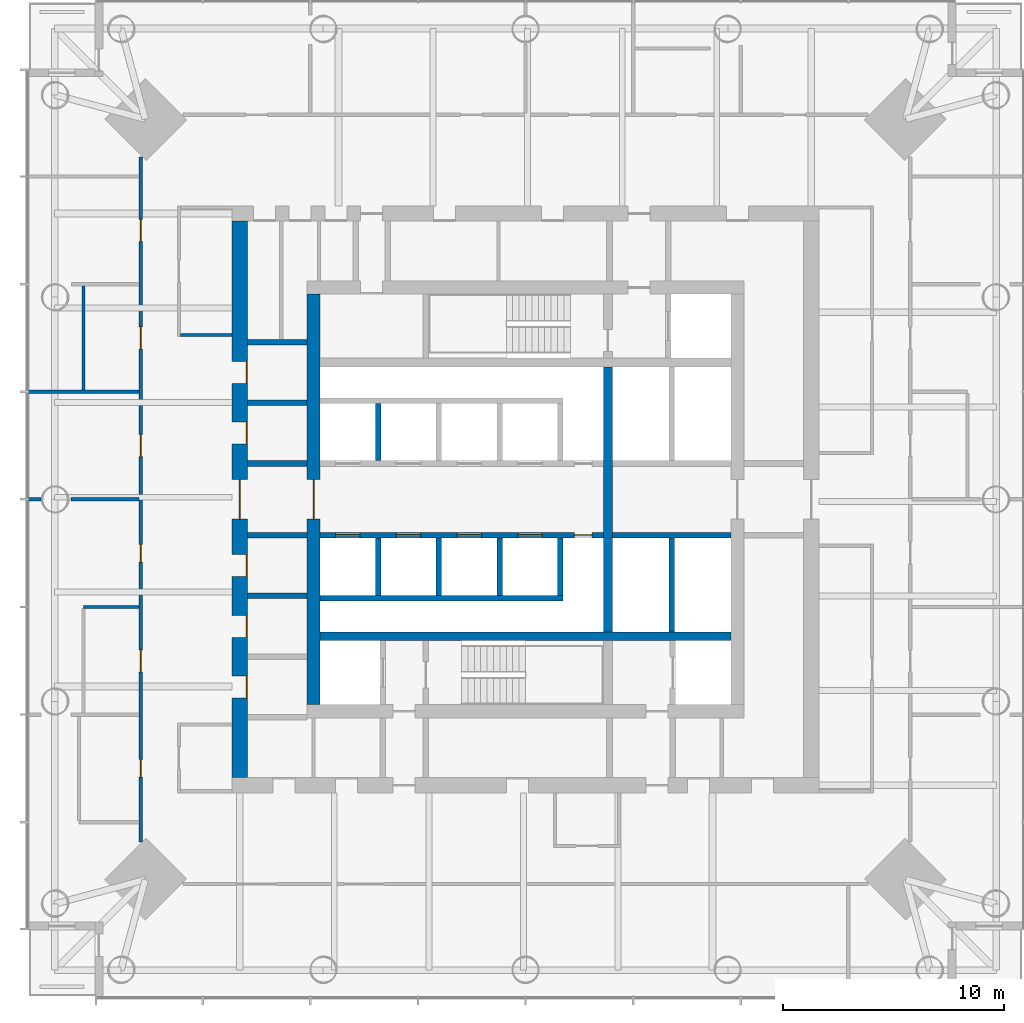
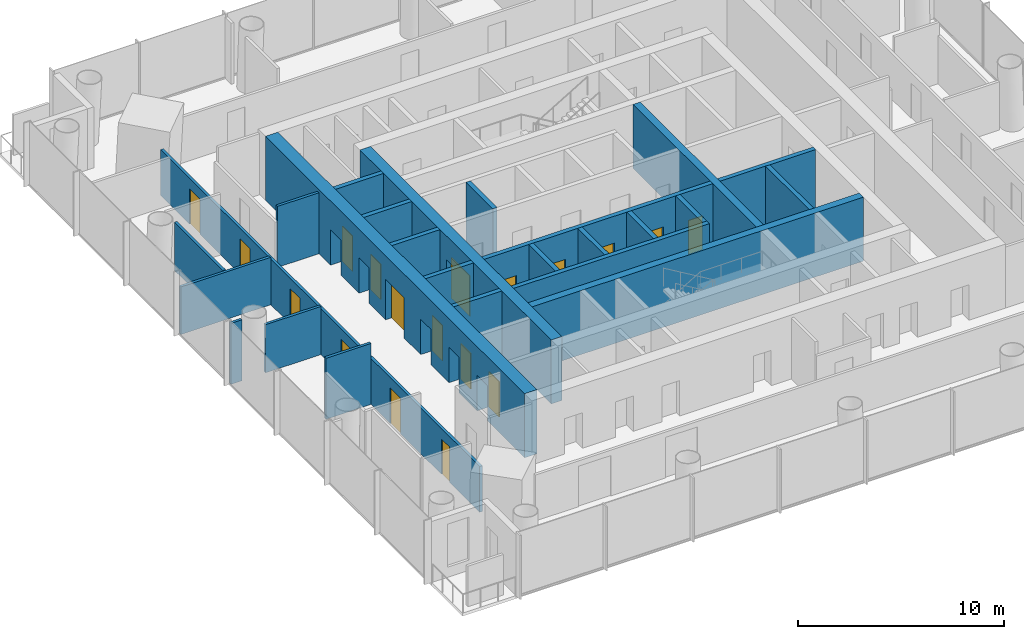
# One storey, part 9 of 18: 25 walls, 18 doors, 18 openings.
"""IFC4 building model written with IfcOpenShell, lengths in metres."""

from ifc_helpers import new_model, si_unit, direction, frame, frame_2d, origin, place, context, subcontext, project, spatial, rectangle, extrude, material, layer, layer_set, type_object, element, fill, save


model = new_model("IFC4")

# Units and contexts
model_context = context("Model", 3, precision=1e-05, world=origin(), true_north=direction((0.0, 1.0)))
body_context = subcontext(model_context, "Body", "Model", "MODEL_VIEW")
ifc_project = project(units=[si_unit("LENGTHUNIT", "METRE"), si_unit("AREAUNIT", "SQUARE_METRE"), si_unit("VOLUMEUNIT", "CUBIC_METRE"), si_unit("PLANEANGLEUNIT", "RADIAN"), si_unit("MASSUNIT", "GRAM", prefix="KILO")], contexts=[model_context])

# Site, building, storey
site_placement = place(None, origin())
site = spatial("IfcSite", under=ifc_project, at=site_placement, CompositionType="ELEMENT")
building_placement = place(site_placement, origin())
building = spatial("IfcBuilding", under=site, at=building_placement, Name="Ostroluk Exchange", CompositionType="ELEMENT")
storey_placement = place(building_placement, frame((0.0, 0.0, 104.60009765625)))
storey = spatial("IfcBuildingStorey", under=building, at=storey_placement, Name="L26", CompositionType="ELEMENT", Elevation=104.60009765625)

# Walls
ifc_material_1 = material(Name="Concrete C50/60", Category="concrete")
ifc_layer_1 = layer(ifc_material_1, 0.39990234375)
ifc_layer_set_1 = layer_set([ifc_layer_1], Name="Core cross wall 400 C50/60")
wall_type_1 = type_object("IfcWallType", Name="Core cross wall 400 C50/60", PredefinedType="SHEAR", material=ifc_layer_set_1)
wall_1_placement = place(storey_placement, frame((35.699951171875, 39.800048828125, 0.0), z_axis=(0.0, 0.0, 1.0), x_axis=(1.0, 0.0, 0.0)))
element("IfcWall", 1, at=wall_1_placement, inside=storey, type_object=wall_type_1, Name="T1 core wall XS", PredefinedType="SHEAR", context=body_context, shape_type="SweptSolid", body=[
    extrude(rectangle(XDim=18.60009765625, YDim=0.39990234375, at=frame_2d((9.300048828125, 0.0))), origin(), (0.0, 0.0, 1.0), 3.7998046875),
])
wall_2_placement = place(storey_placement, frame((48.72998046875, 40.0, 0.0), z_axis=(0.0, 0.0, 1.0), x_axis=(0.0, 1.0, 0.0)))
element("IfcWall", 2, at=wall_2_placement, inside=storey, type_object=wall_type_1, Name="T1 core wall YE2", PredefinedType="SHEAR", context=body_context, shape_type="SweptSolid", body=[
    extrude(rectangle(XDim=12.0, YDim=0.39990234375, at=frame_2d((6.0, 0.0))), origin(), (0.0, 0.0, 1.0), 3.7998046875),
])
ifc_material_2 = material(Name="Concrete C40/50", Category="concrete")
ifc_layer_2 = layer(ifc_material_2, 0.25)
ifc_layer_set_2 = layer_set([ifc_layer_2], Name="Core shaft wall 250")
wall_type_2 = type_object("IfcWallType", Name="Core shaft wall 250", PredefinedType="SHEAR", material=ifc_layer_set_2)
for number, where, z_axis, x_axis, name in (
    (3, (38.324951171875, 47.75, 0.0), (0.0, 0.0, 1.0), (0.0, 1.0, 0.0), "Lift shaft wall"),
    (4, (38.324951171875, 44.25, 0.0), (0.0, 0.0, 1.0), (0.0, -1.0, 0.0), "Lift shaft wall"),
    (5, (41.074951171875, 44.25, 0.0), (0.0, 0.0, 1.0), (0.0, -1.0, 0.0), "Lift shaft wall"),
    (6, (43.824951171875, 44.25, 0.0), (0.0, 0.0, 1.0), (0.0, -1.0, 0.0), "Lift shaft wall"),
    (7, (46.574951171875, 44.25, 0.0), (0.0, 0.0, 1.0), (0.0, -1.0, 0.0), "Lift shaft wall"),
):
    element("IfcWall", number, at=place(storey_placement, frame(where, z_axis=z_axis, x_axis=x_axis)), inside=storey, type_object=wall_type_2, Name=name, PredefinedType="SHEAR", context=body_context, shape_type="SweptSolid", body=[
        extrude(rectangle(XDim=2.60009765625, YDim=0.25, at=frame_2d((1.300048828125, 0.0))), origin(), (0.0, 0.0, 1.0), 3.7998046875),
    ])
wall_3_placement = place(storey_placement, frame((35.699951171875, 41.52490234375, 0.0), z_axis=(0.0, 0.0, 1.0), x_axis=(1.0, 0.0, 0.0)))
element("IfcWall", 8, at=wall_3_placement, inside=storey, type_object=wall_type_2, Name="Lift shaft wall", PredefinedType="SHEAR", context=body_context, shape_type="SweptSolid", body=[
    extrude(rectangle(XDim=11.0, YDim=0.25, at=frame_2d((5.5, 0.0))), origin(), (0.0, 0.0, 1.0), 3.7998046875),
])

# Wall, openings, doors
wall_4_placement = place(storey_placement, frame((35.699951171875, 44.375, 0.0), z_axis=(0.0, 0.0, 1.0), x_axis=(1.0, 0.0, 0.0)))
wall_4 = element("IfcWall", 9, at=wall_4_placement, inside=storey, type_object=wall_type_2, Name="Lift shaft front wall", PredefinedType="SHEAR", context=body_context, shape_type="SweptSolid", body=[
    extrude(rectangle(XDim=12.830078125, YDim=0.25, at=frame_2d((6.4150390625, 0.0))), origin(), (0.0, 0.0, 1.0), 3.7998046875),
])
opening_1_placement = place(wall_4_placement, frame((0.699951171875, 0.0, 0.0)))
opening_1 = element("IfcOpeningElement", 10, at=opening_1_placement, cuts=wall_4, Name="Opening LD", PredefinedType="OPENING", context=body_context, shape_type="SweptSolid", body=[
    extrude(rectangle(XDim=1.10009765625, YDim=2.199951171875, at=frame_2d((0.550048828125, 1.10009765625))), frame((0.0, 0.135009765625, 0.0), z_axis=(0.0, -1.0, 0.0), x_axis=(1.0, 0.0, 0.0)), (0.0, 0.0, 1.0), 0.27001953125),
])
opening_2_placement = place(wall_4_placement, frame((3.449951171875, 0.0, 0.0)))
opening_2 = element("IfcOpeningElement", 11, at=opening_2_placement, cuts=wall_4, Name="Opening LD", PredefinedType="OPENING", context=body_context, shape_type="SweptSolid", body=[
    extrude(rectangle(XDim=1.10009765625, YDim=2.199951171875, at=frame_2d((0.550048828125, 1.10009765625))), frame((0.0, 0.135009765625, 0.0), z_axis=(0.0, -1.0, 0.0), x_axis=(1.0, 0.0, 0.0)), (0.0, 0.0, 1.0), 0.27001953125),
])
opening_3_placement = place(wall_4_placement, frame((6.199951171875, 0.0, 0.0)))
opening_3 = element("IfcOpeningElement", 12, at=opening_3_placement, cuts=wall_4, Name="Opening LD", PredefinedType="OPENING", context=body_context, shape_type="SweptSolid", body=[
    extrude(rectangle(XDim=1.10009765625, YDim=2.199951171875, at=frame_2d((0.550048828125, 1.10009765625))), frame((0.0, 0.135009765625, 0.0), z_axis=(0.0, -1.0, 0.0), x_axis=(1.0, 0.0, 0.0)), (0.0, 0.0, 1.0), 0.27001953125),
])
opening_4_placement = place(wall_4_placement, frame((8.949951171875, 0.0, 0.0)))
opening_4 = element("IfcOpeningElement", 13, at=opening_4_placement, cuts=wall_4, Name="Opening LD", PredefinedType="OPENING", context=body_context, shape_type="SweptSolid", body=[
    extrude(rectangle(XDim=1.10009765625, YDim=2.199951171875, at=frame_2d((0.550048828125, 1.10009765625))), frame((0.0, 0.135009765625, 0.0), z_axis=(0.0, -1.0, 0.0), x_axis=(1.0, 0.0, 0.0)), (0.0, 0.0, 1.0), 0.27001953125),
])
opening_5_placement = place(wall_4_placement, frame((11.514892578125, 0.0, 0.0)))
opening_5 = element("IfcOpeningElement", 14, at=opening_5_placement, cuts=wall_4, Name="Opening RD60", PredefinedType="OPENING", context=body_context, shape_type="SweptSolid", body=[
    extrude(rectangle(XDim=0.800048828125, YDim=2.0, at=frame_2d((0.39990234375, 1.0))), frame((0.0, 0.135009765625, 0.0), z_axis=(0.0, -1.0, 0.0), x_axis=(1.0, 0.0, 0.0)), (0.0, 0.0, 1.0), 0.27001953125),
])
ifc_material_3 = material(Name="Stainless steel", Category="steel")
door_type_1 = type_object("IfcDoorType", Name="Lift landing door E 60 1100 x 2200", OperationType="DOUBLE_DOOR_SLIDING", PredefinedType="DOOR", material=ifc_material_3)
door_1_placement = place(opening_1_placement, origin())
door_1 = element("IfcDoor", 15, at=door_1_placement, inside=storey, type_object=door_type_1, Name="Lift PL-M5 landing door", OperationType="DOUBLE_DOOR_SLIDING", OverallHeight=2.199951171875, OverallWidth=1.10009765625, PredefinedType="DOOR", context=body_context, shape_type="SweptSolid", body=[
    extrude(rectangle(XDim=1.10009765625, YDim=2.199951171875, at=frame_2d((0.550048828125, 1.10009765625))), frame((0.0, 0.02490234375, 0.0), z_axis=(0.0, -1.0, 0.0), x_axis=(1.0, 0.0, 0.0)), (0.0, 0.0, 1.0), 0.050048828125),
])
fill(opening_1, door_1)
door_2_placement = place(opening_2_placement, origin())
door_2 = element("IfcDoor", 16, at=door_2_placement, inside=storey, type_object=door_type_1, Name="Lift PL-M6 landing door", OperationType="DOUBLE_DOOR_SLIDING", OverallHeight=2.199951171875, OverallWidth=1.10009765625, PredefinedType="DOOR", context=body_context, shape_type="SweptSolid", body=[
    extrude(rectangle(XDim=1.10009765625, YDim=2.199951171875, at=frame_2d((0.550048828125, 1.10009765625))), frame((0.0, 0.02490234375, 0.0), z_axis=(0.0, -1.0, 0.0), x_axis=(1.0, 0.0, 0.0)), (0.0, 0.0, 1.0), 0.050048828125),
])
fill(opening_2, door_2)
door_3_placement = place(opening_3_placement, origin())
door_3 = element("IfcDoor", 17, at=door_3_placement, inside=storey, type_object=door_type_1, Name="Lift PL-M7 landing door", OperationType="DOUBLE_DOOR_SLIDING", OverallHeight=2.199951171875, OverallWidth=1.10009765625, PredefinedType="DOOR", context=body_context, shape_type="SweptSolid", body=[
    extrude(rectangle(XDim=1.10009765625, YDim=2.199951171875, at=frame_2d((0.550048828125, 1.10009765625))), frame((0.0, 0.02490234375, 0.0), z_axis=(0.0, -1.0, 0.0), x_axis=(1.0, 0.0, 0.0)), (0.0, 0.0, 1.0), 0.050048828125),
])
fill(opening_3, door_3)
door_4_placement = place(opening_4_placement, origin())
door_4 = element("IfcDoor", 18, at=door_4_placement, inside=storey, type_object=door_type_1, Name="Lift PL-M8 landing door", OperationType="DOUBLE_DOOR_SLIDING", OverallHeight=2.199951171875, OverallWidth=1.10009765625, PredefinedType="DOOR", context=body_context, shape_type="SweptSolid", body=[
    extrude(rectangle(XDim=1.10009765625, YDim=2.199951171875, at=frame_2d((0.550048828125, 1.10009765625))), frame((0.0, 0.02490234375, 0.0), z_axis=(0.0, -1.0, 0.0), x_axis=(1.0, 0.0, 0.0)), (0.0, 0.0, 1.0), 0.050048828125),
])
fill(opening_4, door_4)
ifc_material_4 = material(Name="Steel", Category="steel")
door_type_2 = type_object("IfcDoorType", Name="Riser access door EI 60 800 x 2000", OperationType="SINGLE_SWING_LEFT", PredefinedType="DOOR", material=ifc_material_4)
door_5_placement = place(opening_5_placement, origin())
door_5 = element("IfcDoor", 19, at=door_5_placement, inside=storey, type_object=door_type_2, Name="Riser access door", OperationType="SINGLE_SWING_RIGHT", OverallHeight=2.0, OverallWidth=0.800048828125, PredefinedType="DOOR", context=body_context, shape_type="SweptSolid", body=[
    extrude(rectangle(XDim=0.800048828125, YDim=2.0, at=frame_2d((0.39990234375, 1.0))), frame((0.0, 0.02490234375, 0.0), z_axis=(0.0, -1.0, 0.0), x_axis=(1.0, 0.0, 0.0)), (0.0, 0.0, 1.0), 0.050048828125),
])
fill(opening_5, door_5)

# Walls
wall_5_placement = place(storey_placement, frame((51.614990234375, 44.25, 0.0), z_axis=(0.0, 0.0, 1.0), x_axis=(0.0, -1.0, 0.0)))
element("IfcWall", 20, at=wall_5_placement, inside=storey, type_object=wall_type_2, Name="Lift shaft wall", PredefinedType="SHEAR", context=body_context, shape_type="SweptSolid", body=[
    extrude(rectangle(XDim=4.25, YDim=0.25, at=frame_2d((2.125, 0.0))), origin(), (0.0, 0.0, 1.0), 3.7998046875),
])
wall_6_placement = place(storey_placement, frame((48.929931640625, 44.375, 0.0), z_axis=(0.0, 0.0, 1.0), x_axis=(1.0, 0.0, 0.0)))
element("IfcWall", 21, at=wall_6_placement, inside=storey, type_object=wall_type_2, Name="Lift shaft front wall", PredefinedType="SHEAR", context=body_context, shape_type="SweptSolid", body=[
    extrude(rectangle(XDim=5.3701171875, YDim=0.25, at=frame_2d((2.68505859375, 0.0))), origin(), (0.0, 0.0, 1.0), 3.7998046875),
])
for number, where, z_axis, x_axis, name in (
    (22, (32.39990234375, 41.625, 0.0), (0.0, 0.0, 1.0), (1.0, 0.0, 0.0), "Lift shaft wall"),
    (23, (32.39990234375, 44.375, 0.0), (0.0, 0.0, 1.0), (1.0, 0.0, 0.0), "Lift shaft wall"),
    (24, (32.39990234375, 47.625, 0.0), (0.0, 0.0, 1.0), (1.0, 0.0, 0.0), "Lift shaft wall"),
    (25, (32.39990234375, 50.375, 0.0), (0.0, 0.0, 1.0), (1.0, 0.0, 0.0), "Lift shaft wall"),
    (26, (32.39990234375, 53.125, 0.0), (0.0, 0.0, 1.0), (1.0, 0.0, 0.0), "Lift shaft wall"),
):
    element("IfcWall", number, at=place(storey_placement, frame(where, z_axis=z_axis, x_axis=x_axis)), inside=storey, type_object=wall_type_2, Name=name, PredefinedType="SHEAR", context=body_context, shape_type="SweptSolid", body=[
        extrude(rectangle(XDim=2.7001953125, YDim=0.25, at=frame_2d((1.35009765625, 0.0))), origin(), (0.0, 0.0, 1.0), 3.7998046875),
    ])

# Wall, opening, door
ifc_material_5 = material(Name="Concrete C50/60", Category="concrete")
ifc_layer_3 = layer(ifc_material_5, 0.60009765625)
ifc_layer_set_3 = layer_set([ifc_layer_3], Name="Core wall 600 C50/60")
wall_type_3 = type_object("IfcWallType", Name="Core wall 600 C50/60", PredefinedType="SHEAR", material=ifc_layer_set_3)
wall_7_placement = place(storey_placement, frame((35.39990234375, 36.699951171875, 0.0), z_axis=(0.0, 0.0, 1.0), x_axis=(0.0, 1.0, 0.0)))
wall_7 = element("IfcWall", 27, at=wall_7_placement, inside=storey, type_object=wall_type_3, Name="T1 core wall W", PredefinedType="SHEAR", context=body_context, shape_type="SweptSolid", body=[
    extrude(rectangle(XDim=18.60009765625, YDim=0.60009765625, at=frame_2d((9.300048828125, 0.0))), origin(), (0.0, 0.0, 1.0), 3.7998046875),
])
opening_6_placement = place(wall_7_placement, frame((8.39990234375, 0.0, 0.0)))
opening_6 = element("IfcOpeningElement", 28, at=opening_6_placement, cuts=wall_7, Name="Opening FD30D", PredefinedType="OPENING", context=body_context, shape_type="SweptSolid", body=[
    extrude(rectangle(XDim=1.800048828125, YDim=2.39990234375, at=frame_2d((0.89990234375, 1.199951171875))), frame((0.0, 0.31005859375, 0.0), z_axis=(0.0, -1.0, 0.0), x_axis=(1.0, 0.0, 0.0)), (0.0, 0.0, 1.0), 0.6201171875),
])
ifc_material_6 = material(Name="Timber", Category="wood")
door_type_3 = type_object("IfcDoorType", Name="Lobby double door EI 30 1800 x 2400", OperationType="DOUBLE_DOOR_SINGLE_SWING", PredefinedType="DOOR", material=ifc_material_6)
door_6_placement = place(opening_6_placement, origin())
door_6 = element("IfcDoor", 29, at=door_6_placement, inside=storey, type_object=door_type_3, Name="Lift lobby doors", OperationType="DOUBLE_DOOR_SINGLE_SWING", OverallHeight=2.39990234375, OverallWidth=1.800048828125, PredefinedType="DOOR", context=body_context, shape_type="SweptSolid", body=[
    extrude(rectangle(XDim=1.800048828125, YDim=2.39990234375, at=frame_2d((0.89990234375, 1.199951171875))), frame((0.0, 0.02490234375, 0.0), z_axis=(0.0, -1.0, 0.0), x_axis=(1.0, 0.0, 0.0)), (0.0, 0.0, 1.0), 0.050048828125),
])
fill(opening_6, door_6)

# Wall, openings, doors
ifc_material_7 = material(Name="Concrete C50/60", Category="concrete")
ifc_layer_4 = layer(ifc_material_7, 0.699951171875)
ifc_layer_set_4 = layer_set([ifc_layer_4], Name="Core wall 700 C50/60")
wall_type_4 = type_object("IfcWallType", Name="Core wall 700 C50/60", PredefinedType="SHEAR", material=ifc_layer_set_4)
wall_8_placement = place(storey_placement, frame((32.050048828125, 33.39990234375, 0.0), z_axis=(0.0, 0.0, 1.0), x_axis=(0.0, 1.0, 0.0)))
wall_8 = element("IfcWall", 30, at=wall_8_placement, inside=storey, type_object=wall_type_4, Name="T1 core wall RW", PredefinedType="SHEAR", context=body_context, shape_type="SweptSolid", body=[
    extrude(rectangle(XDim=25.2001953125, YDim=0.699951171875, at=frame_2d((12.60009765625, 0.0))), origin(), (0.0, 0.0, 1.0), 3.7998046875),
])
opening_7_placement = place(wall_8_placement, frame((11.699951171875, 0.0, 0.0)))
opening_7 = element("IfcOpeningElement", 31, at=opening_7_placement, cuts=wall_8, Name="Opening FD30D", PredefinedType="OPENING", context=body_context, shape_type="SweptSolid", body=[
    extrude(rectangle(XDim=1.800048828125, YDim=2.39990234375, at=frame_2d((0.89990234375, 1.199951171875))), frame((0.0, 0.35986328125, 0.0), z_axis=(0.0, -1.0, 0.0), x_axis=(1.0, 0.0, 0.0)), (0.0, 0.0, 1.0), 0.719970703125),
])
opening_8_placement = place(wall_8_placement, frame((3.60009765625, 0.0, 0.0)))
opening_8 = element("IfcOpeningElement", 32, at=opening_8_placement, cuts=wall_8, Name="Opening FD60", PredefinedType="OPENING", context=body_context, shape_type="SweptSolid", body=[
    extrude(rectangle(XDim=1.0, YDim=2.10009765625, at=frame_2d((0.5, 1.050048828125))), frame((0.0, 0.35986328125, 0.0), z_axis=(0.0, -1.0, 0.0), x_axis=(1.0, 0.0, 0.0)), (0.0, 0.0, 1.0), 0.719970703125),
])
opening_9_placement = place(wall_8_placement, frame((6.35009765625, 0.0, 0.0)))
opening_9 = element("IfcOpeningElement", 33, at=opening_9_placement, cuts=wall_8, Name="Opening FD60", PredefinedType="OPENING", context=body_context, shape_type="SweptSolid", body=[
    extrude(rectangle(XDim=1.0, YDim=2.10009765625, at=frame_2d((0.5, 1.050048828125))), frame((0.0, 0.35986328125, 0.0), z_axis=(0.0, -1.0, 0.0), x_axis=(1.0, 0.0, 0.0)), (0.0, 0.0, 1.0), 0.719970703125),
])
opening_10_placement = place(wall_8_placement, frame((9.10009765625, 0.0, 0.0)))
opening_10 = element("IfcOpeningElement", 34, at=opening_10_placement, cuts=wall_8, Name="Opening FD60", PredefinedType="OPENING", context=body_context, shape_type="SweptSolid", body=[
    extrude(rectangle(XDim=1.0, YDim=2.10009765625, at=frame_2d((0.5, 1.050048828125))), frame((0.0, 0.35986328125, 0.0), z_axis=(0.0, -1.0, 0.0), x_axis=(1.0, 0.0, 0.0)), (0.0, 0.0, 1.0), 0.719970703125),
])
opening_11_placement = place(wall_8_placement, frame((15.10009765625, 0.0, 0.0)))
opening_11 = element("IfcOpeningElement", 35, at=opening_11_placement, cuts=wall_8, Name="Opening FD60", PredefinedType="OPENING", context=body_context, shape_type="SweptSolid", body=[
    extrude(rectangle(XDim=1.0, YDim=2.10009765625, at=frame_2d((0.5, 1.050048828125))), frame((0.0, 0.35986328125, 0.0), z_axis=(0.0, -1.0, 0.0), x_axis=(1.0, 0.0, 0.0)), (0.0, 0.0, 1.0), 0.719970703125),
])
opening_12_placement = place(wall_8_placement, frame((17.85009765625, 0.0, 0.0)))
opening_12 = element("IfcOpeningElement", 36, at=opening_12_placement, cuts=wall_8, Name="Opening FD60", PredefinedType="OPENING", context=body_context, shape_type="SweptSolid", body=[
    extrude(rectangle(XDim=1.0, YDim=2.10009765625, at=frame_2d((0.5, 1.050048828125))), frame((0.0, 0.35986328125, 0.0), z_axis=(0.0, -1.0, 0.0), x_axis=(1.0, 0.0, 0.0)), (0.0, 0.0, 1.0), 0.719970703125),
])
ifc_material_8 = material(Name="Steel", Category="steel")
door_type_4 = type_object("IfcDoorType", Name="Fire door EI 60 1000 x 2100", OperationType="SINGLE_SWING_LEFT", PredefinedType="DOOR", material=ifc_material_8)
door_7_placement = place(opening_8_placement, origin())
door_7 = element("IfcDoor", 37, at=door_7_placement, inside=storey, type_object=door_type_4, Name="Cleaner's store door", OperationType="SINGLE_SWING_LEFT", OverallHeight=2.10009765625, OverallWidth=1.0, PredefinedType="DOOR", context=body_context, shape_type="SweptSolid", body=[
    extrude(rectangle(XDim=1.0, YDim=2.10009765625, at=frame_2d((0.5, 1.050048828125))), frame((0.0, -0.2900390625, 0.0), z_axis=(0.0, -1.0, 0.0), x_axis=(1.0, 0.0, 0.0)), (0.0, 0.0, 1.0), 0.050048828125),
])
fill(opening_8, door_7)
door_8_placement = place(opening_9_placement, origin())
door_8 = element("IfcDoor", 38, at=door_8_placement, inside=storey, type_object=door_type_4, Name="Comms room door", OperationType="SINGLE_SWING_LEFT", OverallHeight=2.10009765625, OverallWidth=1.0, PredefinedType="DOOR", context=body_context, shape_type="SweptSolid", body=[
    extrude(rectangle(XDim=1.0, YDim=2.10009765625, at=frame_2d((0.5, 1.050048828125))), frame((0.0, -0.2900390625, 0.0), z_axis=(0.0, -1.0, 0.0), x_axis=(1.0, 0.0, 0.0)), (0.0, 0.0, 1.0), 0.050048828125),
])
fill(opening_9, door_8)
door_9_placement = place(opening_10_placement, origin())
door_9 = element("IfcDoor", 39, at=door_9_placement, inside=storey, type_object=door_type_4, Name="Cleaner's store door", OperationType="SINGLE_SWING_LEFT", OverallHeight=2.10009765625, OverallWidth=1.0, PredefinedType="DOOR", context=body_context, shape_type="SweptSolid", body=[
    extrude(rectangle(XDim=1.0, YDim=2.10009765625, at=frame_2d((0.5, 1.050048828125))), frame((0.0, -0.2900390625, 0.0), z_axis=(0.0, -1.0, 0.0), x_axis=(1.0, 0.0, 0.0)), (0.0, 0.0, 1.0), 0.050048828125),
])
fill(opening_10, door_9)
door_10_placement = place(opening_11_placement, origin())
door_10 = element("IfcDoor", 40, at=door_10_placement, inside=storey, type_object=door_type_4, Name="Comms room door", OperationType="SINGLE_SWING_RIGHT", OverallHeight=2.10009765625, OverallWidth=1.0, PredefinedType="DOOR", context=body_context, shape_type="SweptSolid", body=[
    extrude(rectangle(XDim=1.0, YDim=2.10009765625, at=frame_2d((0.5, 1.050048828125))), frame((0.0, -0.2900390625, 0.0), z_axis=(0.0, -1.0, 0.0), x_axis=(1.0, 0.0, 0.0)), (0.0, 0.0, 1.0), 0.050048828125),
])
fill(opening_11, door_10)
door_11_placement = place(opening_12_placement, origin())
door_11 = element("IfcDoor", 41, at=door_11_placement, inside=storey, type_object=door_type_4, Name="Cleaner's store door", OperationType="SINGLE_SWING_RIGHT", OverallHeight=2.10009765625, OverallWidth=1.0, PredefinedType="DOOR", context=body_context, shape_type="SweptSolid", body=[
    extrude(rectangle(XDim=1.0, YDim=2.10009765625, at=frame_2d((0.5, 1.050048828125))), frame((0.0, -0.2900390625, 0.0), z_axis=(0.0, -1.0, 0.0), x_axis=(1.0, 0.0, 0.0)), (0.0, 0.0, 1.0), 0.050048828125),
])
fill(opening_12, door_11)
door_12_placement = place(opening_7_placement, origin())
door_12 = element("IfcDoor", 42, at=door_12_placement, inside=storey, type_object=door_type_3, Name="Lift lobby doors", OperationType="DOUBLE_DOOR_SINGLE_SWING", OverallHeight=2.39990234375, OverallWidth=1.800048828125, PredefinedType="DOOR", context=body_context, shape_type="SweptSolid", body=[
    extrude(rectangle(XDim=1.800048828125, YDim=2.39990234375, at=frame_2d((0.89990234375, 1.199951171875))), frame((0.0, 0.02490234375, 0.0), z_axis=(0.0, -1.0, 0.0), x_axis=(1.0, 0.0, 0.0)), (0.0, 0.0, 1.0), 0.050048828125),
])
fill(opening_7, door_12)

# Walls
ifc_material_9 = material(Name="Gypsum plasterboard partition", Category="gypsum")
ifc_layer_5 = layer(ifc_material_9, 0.14990234375)
ifc_layer_set_5 = layer_set([ifc_layer_5], Name="Plasterboard partition 150")
wall_type_5 = type_object("IfcWallType", Name="Plasterboard partition 150", PredefinedType="PARTITIONING", material=ifc_layer_set_5)
wall_9_placement = place(storey_placement, frame((31.699951171875, 53.449951171875, 0.0), z_axis=(0.0, 0.0, 1.0), x_axis=(-1.0, 0.0, 0.0)))
element("IfcWall", 43, at=wall_9_placement, inside=storey, type_object=wall_type_5, Name="Partition", PredefinedType="PARTITIONING", context=body_context, shape_type="SweptSolid", body=[
    extrude(rectangle(XDim=2.324951171875, YDim=0.14990234375, at=frame_2d((1.16259765625, 0.0))), origin(), (0.0, 0.0, 1.0), 3.619873046875),
])
wall_10_placement = place(storey_placement, frame((24.97509765625, 55.675048828125, 0.0), z_axis=(0.0, 0.0, 1.0), x_axis=(0.0, -1.0, 0.0)))
element("IfcWall", 44, at=wall_10_placement, inside=storey, type_object=wall_type_5, Name="Partition", PredefinedType="PARTITIONING", context=body_context, shape_type="SweptSolid", body=[
    extrude(rectangle(XDim=4.72509765625, YDim=0.14990234375, at=frame_2d((2.362548828125, 0.0))), origin(), (0.0, 0.0, 1.0), 2.85791015625),
])

# Wall, openings, doors
wall_11_placement = place(storey_placement, frame((27.574951171875, 61.511474609375, 0.0), z_axis=(0.0, 0.0, 1.0), x_axis=(0.0, -1.0, 0.0)))
wall_11 = element("IfcWall", 45, at=wall_11_placement, inside=storey, type_object=wall_type_5, Name="Partition", PredefinedType="PARTITIONING", context=body_context, shape_type="SweptSolid", body=[
    extrude(rectangle(XDim=31.02294921875, YDim=0.14990234375, at=frame_2d((15.511474609375, 0.0))), origin(), (0.0, 0.0, 1.0), 2.719970703125),
])
opening_13_placement = place(wall_11_placement, frame((2.823974609375, 0.0, 0.0)))
opening_13 = element("IfcOpeningElement", 46, at=opening_13_placement, cuts=wall_11, Name="Opening D-03", PredefinedType="OPENING", context=body_context, shape_type="SweptSolid", body=[
    extrude(rectangle(XDim=1.0, YDim=2.10009765625, at=frame_2d((0.5, 1.050048828125))), frame((0.0, 0.0849609375, 0.0), z_axis=(0.0, -1.0, 0.0), x_axis=(1.0, 0.0, 0.0)), (0.0, 0.0, 1.0), 0.169921875),
])
opening_14_placement = place(wall_11_placement, frame((7.698974609375, 0.0, 0.0)))
opening_14 = element("IfcOpeningElement", 47, at=opening_14_placement, cuts=wall_11, Name="Opening D-03", PredefinedType="OPENING", context=body_context, shape_type="SweptSolid", body=[
    extrude(rectangle(XDim=1.0, YDim=2.10009765625, at=frame_2d((0.5, 1.050048828125))), frame((0.0, 0.0849609375, 0.0), z_axis=(0.0, -1.0, 0.0), x_axis=(1.0, 0.0, 0.0)), (0.0, 0.0, 1.0), 0.169921875),
])
opening_15_placement = place(wall_11_placement, frame((12.573974609375, 0.0, 0.0)))
opening_15 = element("IfcOpeningElement", 48, at=opening_15_placement, cuts=wall_11, Name="Opening D-03", PredefinedType="OPENING", context=body_context, shape_type="SweptSolid", body=[
    extrude(rectangle(XDim=1.0, YDim=2.10009765625, at=frame_2d((0.5, 1.050048828125))), frame((0.0, 0.0849609375, 0.0), z_axis=(0.0, -1.0, 0.0), x_axis=(1.0, 0.0, 0.0)), (0.0, 0.0, 1.0), 0.169921875),
])
opening_16_placement = place(wall_11_placement, frame((17.549072265625, 0.0, 0.0)))
opening_16 = element("IfcOpeningElement", 49, at=opening_16_placement, cuts=wall_11, Name="Opening D-06", PredefinedType="OPENING", context=body_context, shape_type="SweptSolid", body=[
    extrude(rectangle(XDim=0.800048828125, YDim=2.10009765625, at=frame_2d((0.39990234375, 1.050048828125))), frame((0.0, 0.0849609375, 0.0), z_axis=(0.0, -1.0, 0.0), x_axis=(1.0, 0.0, 0.0)), (0.0, 0.0, 1.0), 0.169921875),
])
opening_17_placement = place(wall_11_placement, frame((22.323974609375, 0.0, 0.0)))
opening_17 = element("IfcOpeningElement", 50, at=opening_17_placement, cuts=wall_11, Name="Opening D-03", PredefinedType="OPENING", context=body_context, shape_type="SweptSolid", body=[
    extrude(rectangle(XDim=1.0, YDim=2.10009765625, at=frame_2d((0.5, 1.050048828125))), frame((0.0, 0.0849609375, 0.0), z_axis=(0.0, -1.0, 0.0), x_axis=(1.0, 0.0, 0.0)), (0.0, 0.0, 1.0), 0.169921875),
])
opening_18_placement = place(wall_11_placement, frame((27.299072265625, 0.0, 0.0)))
opening_18 = element("IfcOpeningElement", 51, at=opening_18_placement, cuts=wall_11, Name="Opening D-06", PredefinedType="OPENING", context=body_context, shape_type="SweptSolid", body=[
    extrude(rectangle(XDim=0.800048828125, YDim=2.10009765625, at=frame_2d((0.39990234375, 1.050048828125))), frame((0.0, 0.0849609375, 0.0), z_axis=(0.0, -1.0, 0.0), x_axis=(1.0, 0.0, 0.0)), (0.0, 0.0, 1.0), 0.169921875),
])
ifc_material_10 = material(Name="Timber", Category="wood")
door_type_5 = type_object("IfcDoorType", Name="Internal door 1000 x 2100", OperationType="SINGLE_SWING_LEFT", PredefinedType="DOOR", material=ifc_material_10)
door_13_placement = place(opening_13_placement, origin())
door_13 = element("IfcDoor", 52, at=door_13_placement, inside=storey, type_object=door_type_5, Name="Office door", OperationType="SINGLE_SWING_LEFT", OverallHeight=2.10009765625, OverallWidth=1.0, PredefinedType="DOOR", context=body_context, shape_type="SweptSolid", body=[
    extrude(rectangle(XDim=1.0, YDim=2.10009765625, at=frame_2d((0.5, 1.050048828125))), frame((0.0, 0.02490234375, 0.0), z_axis=(0.0, -1.0, 0.0), x_axis=(1.0, 0.0, 0.0)), (0.0, 0.0, 1.0), 0.050048828125),
])
fill(opening_13, door_13)
door_14_placement = place(opening_14_placement, origin())
door_14 = element("IfcDoor", 53, at=door_14_placement, inside=storey, type_object=door_type_5, Name="Pantry door", OperationType="SINGLE_SWING_LEFT", OverallHeight=2.10009765625, OverallWidth=1.0, PredefinedType="DOOR", context=body_context, shape_type="SweptSolid", body=[
    extrude(rectangle(XDim=1.0, YDim=2.10009765625, at=frame_2d((0.5, 1.050048828125))), frame((0.0, 0.02490234375, 0.0), z_axis=(0.0, -1.0, 0.0), x_axis=(1.0, 0.0, 0.0)), (0.0, 0.0, 1.0), 0.050048828125),
])
fill(opening_14, door_14)
door_15_placement = place(opening_15_placement, origin())
door_15 = element("IfcDoor", 54, at=door_15_placement, inside=storey, type_object=door_type_5, Name="Office door", OperationType="SINGLE_SWING_LEFT", OverallHeight=2.10009765625, OverallWidth=1.0, PredefinedType="DOOR", context=body_context, shape_type="SweptSolid", body=[
    extrude(rectangle(XDim=1.0, YDim=2.10009765625, at=frame_2d((0.5, 1.050048828125))), frame((0.0, 0.02490234375, 0.0), z_axis=(0.0, -1.0, 0.0), x_axis=(1.0, 0.0, 0.0)), (0.0, 0.0, 1.0), 0.050048828125),
])
fill(opening_15, door_15)
door_16_placement = place(opening_17_placement, origin())
door_16 = element("IfcDoor", 55, at=door_16_placement, inside=storey, type_object=door_type_5, Name="Accessible WC door", OperationType="SINGLE_SWING_RIGHT", OverallHeight=2.10009765625, OverallWidth=1.0, PredefinedType="DOOR", context=body_context, shape_type="SweptSolid", body=[
    extrude(rectangle(XDim=1.0, YDim=2.10009765625, at=frame_2d((0.5, 1.050048828125))), frame((0.0, 0.02490234375, 0.0), z_axis=(0.0, -1.0, 0.0), x_axis=(1.0, 0.0, 0.0)), (0.0, 0.0, 1.0), 0.050048828125),
])
fill(opening_17, door_16)
ifc_material_11 = material(Name="Timber", Category="wood")
door_type_6 = type_object("IfcDoorType", Name="Toilet door 800 x 2100", OperationType="SINGLE_SWING_LEFT", PredefinedType="DOOR", material=ifc_material_11)
door_17_placement = place(opening_16_placement, origin())
door_17 = element("IfcDoor", 56, at=door_17_placement, inside=storey, type_object=door_type_6, Name="WC female door", OperationType="SINGLE_SWING_RIGHT", OverallHeight=2.10009765625, OverallWidth=0.800048828125, PredefinedType="DOOR", context=body_context, shape_type="SweptSolid", body=[
    extrude(rectangle(XDim=0.800048828125, YDim=2.10009765625, at=frame_2d((0.39990234375, 1.050048828125))), frame((0.0, 0.02490234375, 0.0), z_axis=(0.0, -1.0, 0.0), x_axis=(1.0, 0.0, 0.0)), (0.0, 0.0, 1.0), 0.050048828125),
])
fill(opening_16, door_17)
door_18_placement = place(opening_18_placement, origin())
door_18 = element("IfcDoor", 57, at=door_18_placement, inside=storey, type_object=door_type_6, Name="WC male door", OperationType="SINGLE_SWING_RIGHT", OverallHeight=2.10009765625, OverallWidth=0.800048828125, PredefinedType="DOOR", context=body_context, shape_type="SweptSolid", body=[
    extrude(rectangle(XDim=0.800048828125, YDim=2.10009765625, at=frame_2d((0.39990234375, 1.050048828125))), frame((0.0, 0.02490234375, 0.0), z_axis=(0.0, -1.0, 0.0), x_axis=(1.0, 0.0, 0.0)), (0.0, 0.0, 1.0), 0.050048828125),
])
fill(opening_18, door_18)

# Walls
wall_12_placement = place(storey_placement, frame((27.5, 50.875, 0.0), z_axis=(0.0, 0.0, 1.0), x_axis=(-1.0, 0.0, 0.0)))
element("IfcWall", 58, at=wall_12_placement, inside=storey, type_object=wall_type_5, Name="Partition", PredefinedType="PARTITIONING", context=body_context, shape_type="SweptSolid", body=[
    extrude(rectangle(XDim=5.0400390625, YDim=0.14990234375, at=frame_2d((2.52001953125, 0.0))), origin(), (0.0, 0.0, 1.0), 2.81982421875),
])
wall_13_placement = place(storey_placement, frame((27.5, 46.0, 0.0), z_axis=(0.0, 0.0, 1.0), x_axis=(-1.0, 0.0, 0.0)))
element("IfcWall", 59, at=wall_13_placement, inside=storey, type_object=wall_type_5, Name="Partition", PredefinedType="PARTITIONING", context=body_context, shape_type="SweptSolid", body=[
    extrude(rectangle(XDim=3.09765625, YDim=0.14990234375, at=frame_2d((1.548828125, 0.0))), origin(), (0.0, 0.0, 1.0), 2.85791015625),
])
wall_14_placement = place(storey_placement, frame((23.06201171875, 46.0, 0.0), z_axis=(0.0, 0.0, 1.0), x_axis=(-1.0, 0.0, 0.0)))
element("IfcWall", 60, at=wall_14_placement, inside=storey, type_object=wall_type_5, Name="Partition", PredefinedType="PARTITIONING", context=body_context, shape_type="SweptSolid", body=[
    extrude(rectangle(XDim=0.60205078125, YDim=0.14990234375, at=frame_2d((0.301025390625, 0.0))), origin(), (0.0, 0.0, 1.0), 3.619873046875),
])
wall_15_placement = place(storey_placement, frame((27.5, 41.125, 0.0), z_axis=(0.0, 0.0, 1.0), x_axis=(-1.0, 0.0, 0.0)))
element("IfcWall", 61, at=wall_15_placement, inside=storey, type_object=wall_type_5, Name="Partition", PredefinedType="PARTITIONING", context=body_context, shape_type="SweptSolid", body=[
    extrude(rectangle(XDim=2.52490234375, YDim=0.14990234375, at=frame_2d((1.262451171875, 0.0))), origin(), (0.0, 0.0, 1.0), 3.619873046875),
])

save(model, "model.ifc")
